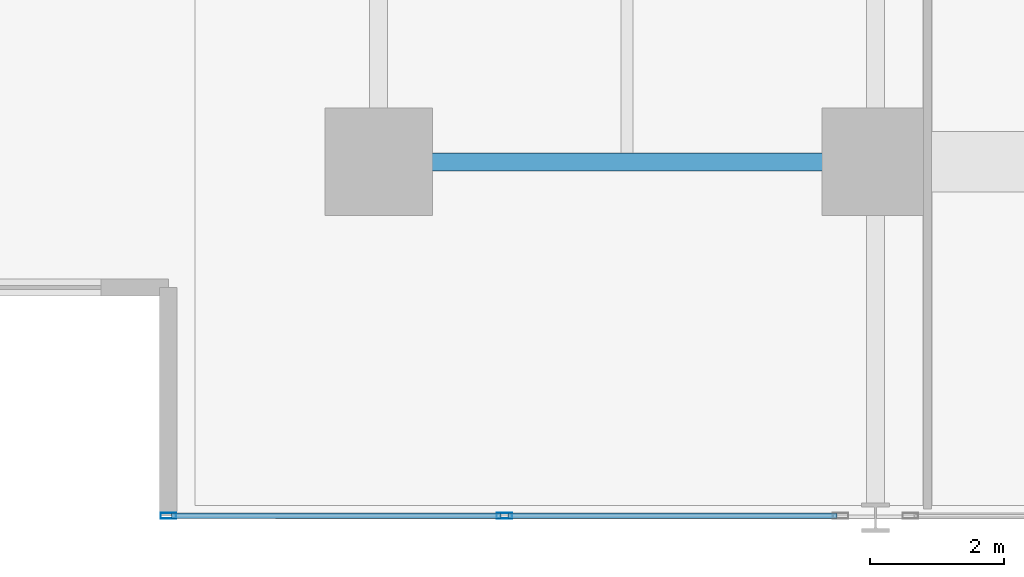
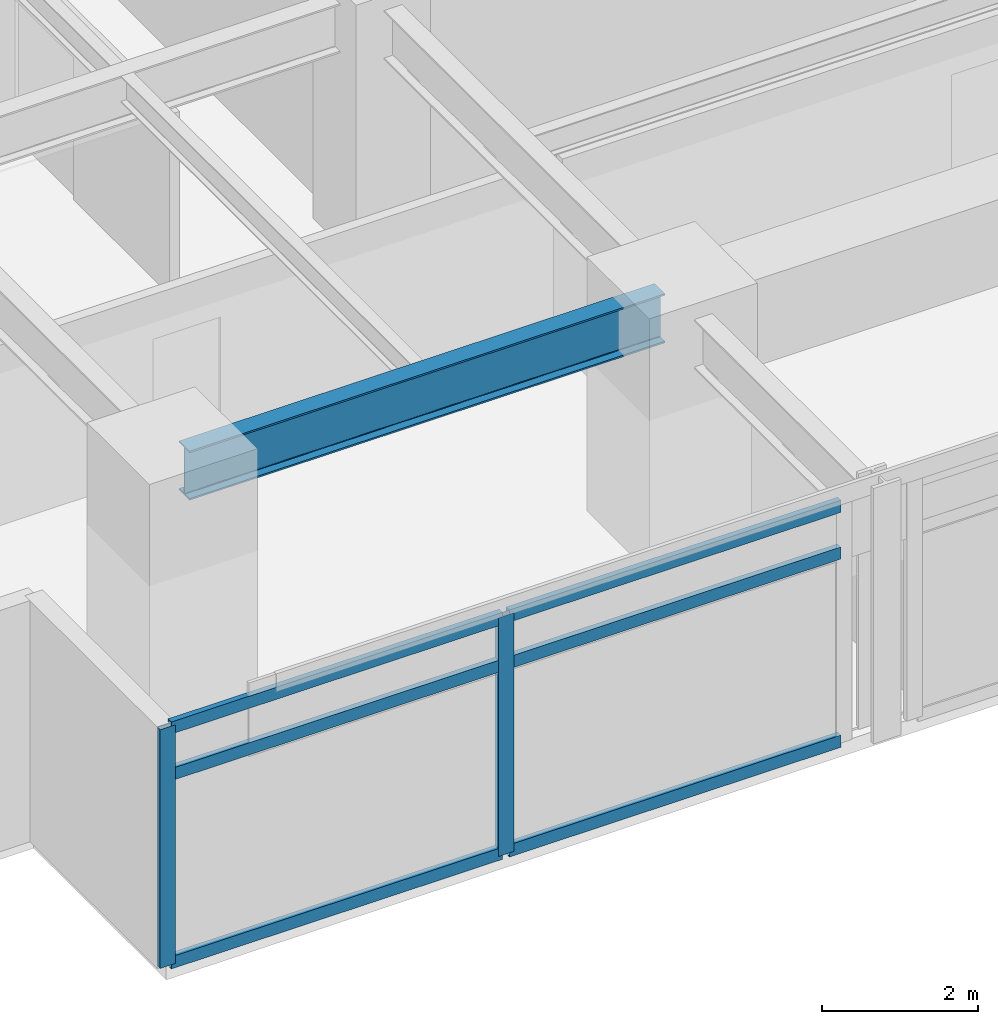
# One storey, part 2 of 20: 8 members, 1 beam, 1 element without a shape of its own.
"""IFC4 building model written with IfcOpenShell, lengths in metres."""

from ifc_helpers import new_model, si_unit, direction, frame, origin, origin_2d, place, context, subcontext, project, spatial, hollow_rectangle, i_section, extrude, material, material_profile, profile_set, type_object, element, aggregate, save


model = new_model("IFC4")

# Units and contexts
model_context = context("Model", 3, precision=1e-05, world=origin(), true_north=direction((0.0, 1.0)))
body_context = subcontext(model_context, "Body", "Model", "MODEL_VIEW")
ifc_project = project(units=[si_unit("LENGTHUNIT", "METRE"), si_unit("AREAUNIT", "SQUARE_METRE"), si_unit("VOLUMEUNIT", "CUBIC_METRE"), si_unit("PLANEANGLEUNIT", "RADIAN"), si_unit("MASSUNIT", "GRAM", prefix="KILO")], contexts=[model_context])

# Site, building, storey
site_placement = place(None, origin())
site = spatial("IfcSite", under=ifc_project, at=site_placement, CompositionType="ELEMENT")
building_placement = place(site_placement, origin())
building = spatial("IfcBuilding", under=site, at=building_placement, Name="Kovane Verandah Tower", CompositionType="ELEMENT")
storey_placement = place(building_placement, frame((0.0, 0.0, 164.39990234375)))
storey = spatial("IfcBuildingStorey", under=building, at=storey_placement, Name="L38", CompositionType="ELEMENT", Elevation=164.39990234375)

# Beam
ifc_material_1 = material(Name="Steel S355", Category="steel")
ifc_material_profile_1 = material_profile(ifc_material_1, i_section(OverallWidth=0.26806640625, OverallDepth=0.769775390625, WebThickness=0.015625, FlangeThickness=0.025390625, FilletRadius=0.0166015625, at=origin_2d()), Name="UB762x267x197")
ifc_profile_set_1 = profile_set([ifc_material_profile_1], Name="Steel S355")
beam_type = type_object("IfcBeamType", Name="BM-UB762x197", PredefinedType="BEAM", material=ifc_profile_set_1)
beam_placement = place(storey_placement, frame((21.780029296875, 10.800048828125, 3.39013671875), z_axis=(1.0, 0.0, 0.0), x_axis=(0.0, 1.0, 0.0)))
element("IfcBeam", 1, at=beam_placement, inside=storey, type_object=beam_type, Name="L38 Primary Tower Girder G-RS1", PredefinedType="BEAM", context=body_context, shape_type="SweptSolid", body=[
    extrude(i_section(OverallWidth=0.26806640625, OverallDepth=0.769775390625, WebThickness=0.015625, FlangeThickness=0.025390625, FilletRadius=0.0166015625, at=origin_2d()), origin(), (0.0, 0.0, 1.0), 7.0400390625),
])

# Curtain wall, members
ifc_material_2 = material(Name="Champagne Anodised Aluminium Frame with Low-E Clear Laminated Glass", Category="aluminium")
curtain_wall_type = type_object("IfcCurtainWallType", Name="CW-SYS-03-MID", PredefinedType="NOTDEFINED", material=ifc_material_2)
curtain_wall_placement = place(storey_placement, origin())
curtain_wall = element("IfcCurtainWall", 2, at=curtain_wall_placement, inside=storey, type_object=curtain_wall_type, Name="L38 S Unitised Curtain Wall-1", PredefinedType="NOTDEFINED")
ifc_material_3 = material(Name="Champagne Anodised Aluminium 6063-T6", Category="aluminium")
ifc_material_profile_2 = material_profile(ifc_material_3, hollow_rectangle(XDim=0.0849609375, YDim=0.22998046875, WallThickness=0.00390625, at=origin_2d()), Name="AL85x230x4")
ifc_profile_set_2 = profile_set([ifc_material_profile_2], Name="Champagne Anodised Aluminium 6063-T6")
member_type_1 = type_object("IfcMemberType", Name="CW-MUL-85x230", PredefinedType="MULLION", material=ifc_profile_set_2)
member_1_placement = place(storey_placement, frame((18.467041015625, 5.52685546875, 0.02001953125), z_axis=(0.0, 0.0, 1.0), x_axis=(0.0, -1.0, 0.0)))
member_1 = element("IfcMember", 3, at=member_1_placement, type_object=member_type_1, Name="L38 S Unitised Curtain Wall-1 Mullion 1", PredefinedType="MULLION", context=body_context, shape_type="SweptSolid", body=[
    extrude(hollow_rectangle(XDim=0.0849609375, YDim=0.22998046875, WallThickness=0.00390625, at=origin_2d()), origin(), (0.0, 0.0, 1.0), 3.735107421875),
])
member_2_placement = place(storey_placement, frame((23.473388671875, 5.52685546875, 0.02001953125), z_axis=(0.0, 0.0, 1.0), x_axis=(0.0, -1.0, 0.0)))
member_2 = element("IfcMember", 4, at=member_2_placement, type_object=member_type_1, Name="L38 S Unitised Curtain Wall-1 Mullion 2", PredefinedType="MULLION", context=body_context, shape_type="SweptSolid", body=[
    extrude(hollow_rectangle(XDim=0.0849609375, YDim=0.22998046875, WallThickness=0.00390625, at=origin_2d()), origin(), (0.0, 0.0, 1.0), 3.735107421875),
])
ifc_material_profile_3 = material_profile(ifc_material_3, hollow_rectangle(XDim=0.0849609375, YDim=0.18994140625, WallThickness=0.00390625, at=origin_2d()), Name="AL85x190x4")
ifc_profile_set_3 = profile_set([ifc_material_profile_3], Name="Champagne Anodised Aluminium 6063-T6")
member_type_2 = type_object("IfcMemberType", Name="CW-TRN-85x190", PredefinedType="USERDEFINED", material=ifc_profile_set_3)
member_3_placement = place(storey_placement, frame((18.51708984375, 5.52685546875, 0.050048828125), z_axis=(1.0, 0.0, 0.0), x_axis=(0.0, 1.0, 0.0)))
member_3 = element("IfcMember", 5, at=member_3_placement, type_object=member_type_2, Name="L38 S Unitised Curtain Wall-1 Transom TB Bay 1", ObjectType="TRANSOM", PredefinedType="USERDEFINED", context=body_context, shape_type="SweptSolid", body=[
    extrude(hollow_rectangle(XDim=0.0849609375, YDim=0.18994140625, WallThickness=0.00390625, at=origin_2d()), origin(), (0.0, 0.0, 1.0), 4.906494140625),
])
member_4_placement = place(storey_placement, frame((18.51708984375, 5.52685546875, 2.9951171875), z_axis=(1.0, 0.0, 0.0), x_axis=(0.0, 1.0, 0.0)))
member_4 = element("IfcMember", 6, at=member_4_placement, type_object=member_type_2, Name="L38 S Unitised Curtain Wall-1 Transom TM Bay 1", ObjectType="TRANSOM", PredefinedType="USERDEFINED", context=body_context, shape_type="SweptSolid", body=[
    extrude(hollow_rectangle(XDim=0.0849609375, YDim=0.18994140625, WallThickness=0.00390625, at=origin_2d()), origin(), (0.0, 0.0, 1.0), 4.906494140625),
])
member_5_placement = place(storey_placement, frame((18.51708984375, 5.52685546875, 3.72509765625), z_axis=(1.0, 0.0, 0.0), x_axis=(0.0, 1.0, 0.0)))
member_5 = element("IfcMember", 7, at=member_5_placement, type_object=member_type_2, Name="L38 S Unitised Curtain Wall-1 Transom TT Bay 1", ObjectType="TRANSOM", PredefinedType="USERDEFINED", context=body_context, shape_type="SweptSolid", body=[
    extrude(hollow_rectangle(XDim=0.0849609375, YDim=0.18994140625, WallThickness=0.00390625, at=origin_2d()), origin(), (0.0, 0.0, 1.0), 4.906494140625),
])
member_6_placement = place(storey_placement, frame((23.5234375, 5.52685546875, 0.050048828125), z_axis=(1.0, 0.0, 0.0), x_axis=(0.0, 1.0, 0.0)))
member_6 = element("IfcMember", 8, at=member_6_placement, type_object=member_type_2, Name="L38 S Unitised Curtain Wall-1 Transom TB Bay 2", ObjectType="TRANSOM", PredefinedType="USERDEFINED", context=body_context, shape_type="SweptSolid", body=[
    extrude(hollow_rectangle(XDim=0.0849609375, YDim=0.18994140625, WallThickness=0.00390625, at=origin_2d()), origin(), (0.0, 0.0, 1.0), 4.906494140625),
])
member_7_placement = place(storey_placement, frame((23.5234375, 5.52685546875, 2.9951171875), z_axis=(1.0, 0.0, 0.0), x_axis=(0.0, 1.0, 0.0)))
member_7 = element("IfcMember", 9, at=member_7_placement, type_object=member_type_2, Name="L38 S Unitised Curtain Wall-1 Transom TM Bay 2", ObjectType="TRANSOM", PredefinedType="USERDEFINED", context=body_context, shape_type="SweptSolid", body=[
    extrude(hollow_rectangle(XDim=0.0849609375, YDim=0.18994140625, WallThickness=0.00390625, at=origin_2d()), origin(), (0.0, 0.0, 1.0), 4.906494140625),
])
member_8_placement = place(storey_placement, frame((23.5234375, 5.52685546875, 3.72509765625), z_axis=(1.0, 0.0, 0.0), x_axis=(0.0, 1.0, 0.0)))
member_8 = element("IfcMember", 10, at=member_8_placement, type_object=member_type_2, Name="L38 S Unitised Curtain Wall-1 Transom TT Bay 2", ObjectType="TRANSOM", PredefinedType="USERDEFINED", context=body_context, shape_type="SweptSolid", body=[
    extrude(hollow_rectangle(XDim=0.0849609375, YDim=0.18994140625, WallThickness=0.00390625, at=origin_2d()), origin(), (0.0, 0.0, 1.0), 4.906494140625),
])
aggregate(curtain_wall, [member_1, member_2, member_3, member_4, member_5, member_6, member_7, member_8])

save(model, "model.ifc")
